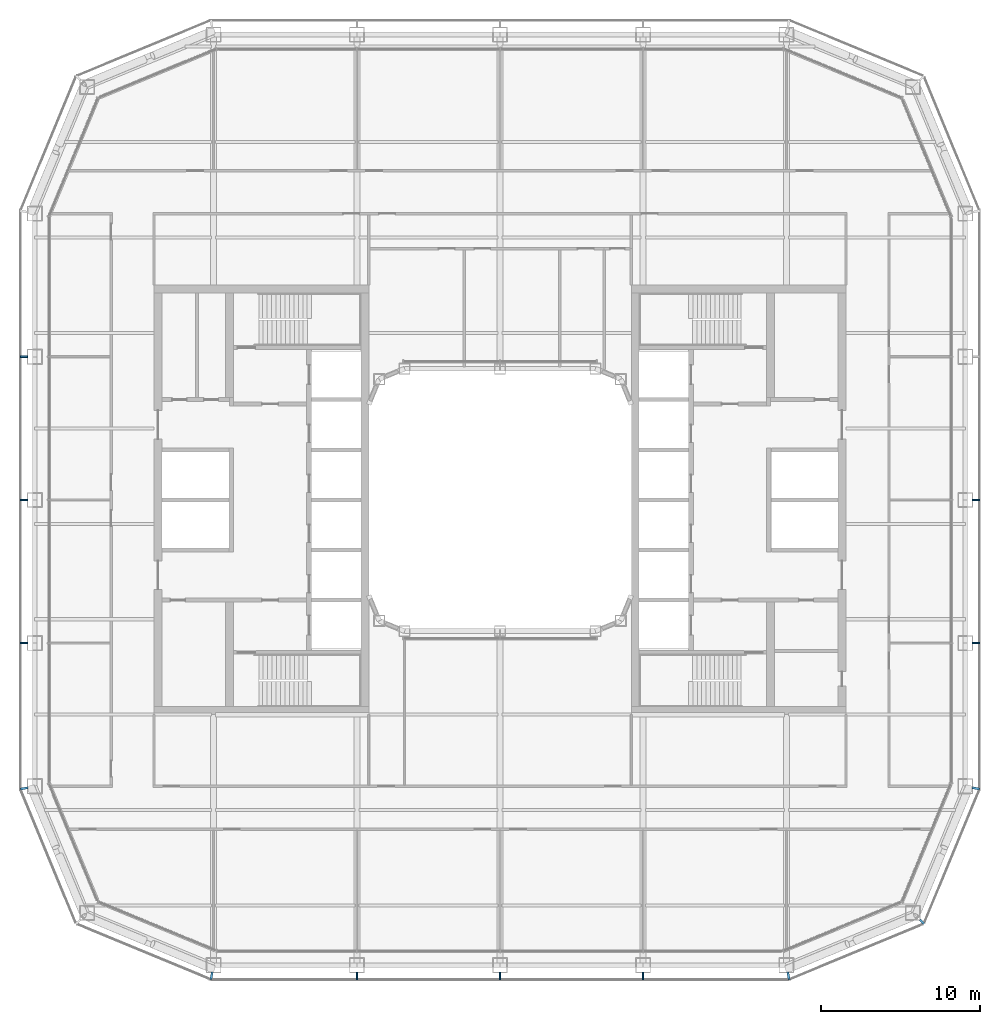
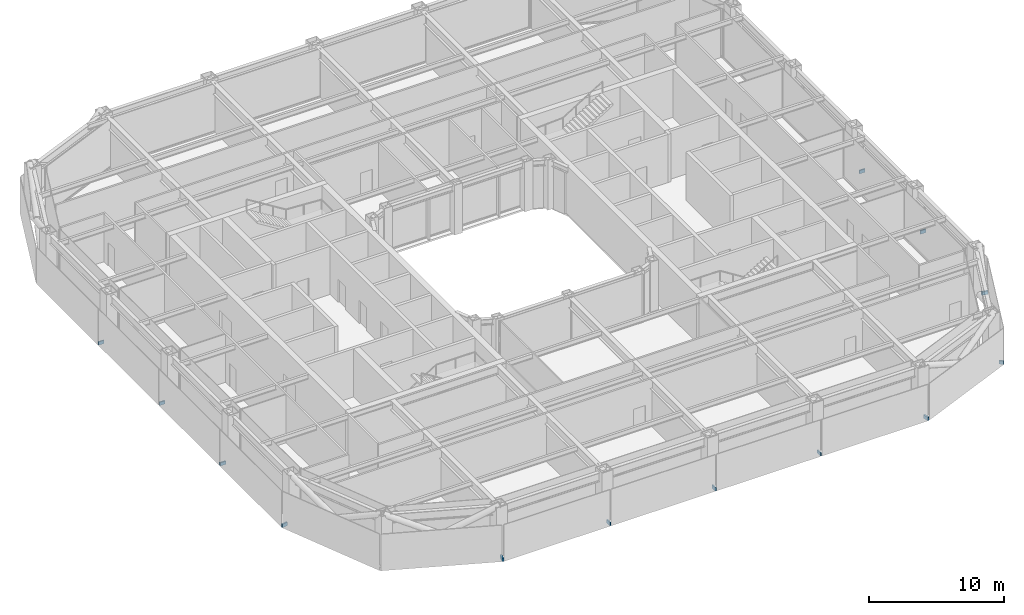
# One storey, part 15 of 21: 13 discrete accessories.
"""IFC4 building model written with IfcOpenShell, lengths in metres."""

from ifc_helpers import new_model, si_unit, direction, frame, origin, origin_2d, place, context, subcontext, project, spatial, rectangle, extrude, material, type_object, element, save


model = new_model("IFC4")

# Units and contexts
model_context = context("Model", 3, precision=1e-05, world=origin(), true_north=direction((0.0, 1.0)))
body_context = subcontext(model_context, "Body", "Model", "MODEL_VIEW")
ifc_project = project(units=[si_unit("LENGTHUNIT", "METRE"), si_unit("AREAUNIT", "SQUARE_METRE"), si_unit("VOLUMEUNIT", "CUBIC_METRE"), si_unit("PLANEANGLEUNIT", "RADIAN"), si_unit("MASSUNIT", "GRAM", prefix="KILO")], contexts=[model_context])

# Site, building, storey
site_placement = place(None, origin())
site = spatial("IfcSite", under=ifc_project, at=site_placement, CompositionType="ELEMENT")
building_placement = place(site_placement, origin())
building = spatial("IfcBuilding", under=site, at=building_placement, Name="Siwar Civic Tower", CompositionType="ELEMENT")
storey_placement = place(building_placement, frame((0.0, 0.0, 122.699951171875)))
storey = spatial("IfcBuildingStorey", under=building, at=storey_placement, Name="L26", CompositionType="ELEMENT", Elevation=122.699951171875)

# Discrete accessories
ifc_material = material(Name="Stainless steel 316", Category="steel")
discrete_accessory_type = type_object("IfcDiscreteAccessoryType", Name="ENV-BRACKET", PredefinedType="BRACKET", material=ifc_material)
for number, where, z_axis, x_axis, name in (
    (1, (29.9150390625, -9.0, -0.14990234375), (0.0, 0.0, 1.0), (1.0, 0.0, 0.0), "Bracket outer skin joint E-01"),
    (2, (29.9150390625, 0.0, -0.14990234375), (0.0, 0.0, 1.0), (1.0, 0.0, 0.0), "Bracket outer skin joint E-02"),
    (3, (-9.0, -29.9150390625, -0.14990234375), (0.0, 0.0, 1.0), (0.0, -1.0, 0.0), "Bracket outer skin joint S-01"),
    (4, (0.0, -29.9150390625, -0.14990234375), (0.0, 0.0, 1.0), (0.0, -1.0, 0.0), "Bracket outer skin joint S-02"),
    (5, (9.0, -29.9150390625, -0.14990234375), (0.0, 0.0, 1.0), (0.0, -1.0, 0.0), "Bracket outer skin joint S-03"),
):
    element("IfcDiscreteAccessory", number, at=place(storey_placement, frame(where, z_axis=z_axis, x_axis=x_axis)), inside=storey, type_object=discrete_accessory_type, Name=name, PredefinedType="BRACKET", context=body_context, shape_type="SweptSolid", body=[
        extrude(rectangle(XDim=0.469970703125, YDim=0.10009765625, at=origin_2d()), origin(), (0.0, 0.0, 1.0), 0.300048828125),
    ])
for number, where, z_axis, x_axis, name in (
    (6, (-18.13232421875, -29.915283203125, -0.14990234375), (0.0, 0.0, 1.0), (-0.195090322016, -0.980785280403, 0.0), "Bracket outer skin joint V00"),
    (7, (18.13232421875, -29.915283203125, -0.14990234375), (0.0, 0.0, 1.0), (0.195090322016, -0.980785280403, 0.0), "Bracket outer skin joint V01"),
):
    element("IfcDiscreteAccessory", number, at=place(storey_placement, frame(where, z_axis=z_axis, x_axis=x_axis)), inside=storey, type_object=discrete_accessory_type, Name=name, PredefinedType="BRACKET", context=body_context, shape_type="SweptSolid", body=[
        extrude(rectangle(XDim=0.478759765625, YDim=0.13720703125, at=origin_2d()), origin(), (0.0, 0.0, 1.0), 0.300048828125),
    ])
discrete_accessory_placement = place(storey_placement, frame((26.517333984375, -26.517333984375, -0.14990234375), z_axis=(0.0, 0.0, 1.0), x_axis=(0.707106781187, -0.707106781187, 0.0)))
element("IfcDiscreteAccessory", 8, at=discrete_accessory_placement, inside=storey, type_object=discrete_accessory_type, Name="Bracket outer skin joint V02", PredefinedType="BRACKET", context=body_context, shape_type="SweptSolid", body=[
    extrude(rectangle(XDim=0.357666015625, YDim=0.12939453125, at=origin_2d()), origin(), (0.0, 0.0, 1.0), 0.300048828125),
])
for number, where, z_axis, x_axis, name in (
    (9, (29.915283203125, -18.13232421875, -0.14990234375), (0.0, 0.0, 1.0), (0.980785280403, -0.195090322016, 0.0), "Bracket outer skin joint V03"),
    (10, (-29.915283203125, -18.13232421875, -0.14990234375), (0.0, 0.0, 1.0), (-0.980785280403, -0.195090322016, 0.0), "Bracket outer skin joint V10"),
):
    element("IfcDiscreteAccessory", number, at=place(storey_placement, frame(where, z_axis=z_axis, x_axis=x_axis)), inside=storey, type_object=discrete_accessory_type, Name=name, PredefinedType="BRACKET", context=body_context, shape_type="SweptSolid", body=[
        extrude(rectangle(XDim=0.478759765625, YDim=0.13720703125, at=origin_2d()), origin(), (0.0, 0.0, 1.0), 0.300048828125),
    ])
for number, where, z_axis, x_axis, name in (
    (11, (-29.9150390625, 9.0, -0.14990234375), (0.0, 0.0, 1.0), (-1.0, 0.0, 0.0), "Bracket outer skin joint W-01"),
    (12, (-29.9150390625, 0.0, -0.14990234375), (0.0, 0.0, 1.0), (-1.0, 0.0, 0.0), "Bracket outer skin joint W-02"),
    (13, (-29.9150390625, -9.0, -0.14990234375), (0.0, 0.0, 1.0), (-1.0, 0.0, 0.0), "Bracket outer skin joint W-03"),
):
    element("IfcDiscreteAccessory", number, at=place(storey_placement, frame(where, z_axis=z_axis, x_axis=x_axis)), inside=storey, type_object=discrete_accessory_type, Name=name, PredefinedType="BRACKET", context=body_context, shape_type="SweptSolid", body=[
        extrude(rectangle(XDim=0.469970703125, YDim=0.10009765625, at=origin_2d()), origin(), (0.0, 0.0, 1.0), 0.300048828125),
    ])

save(model, "model.ifc")
